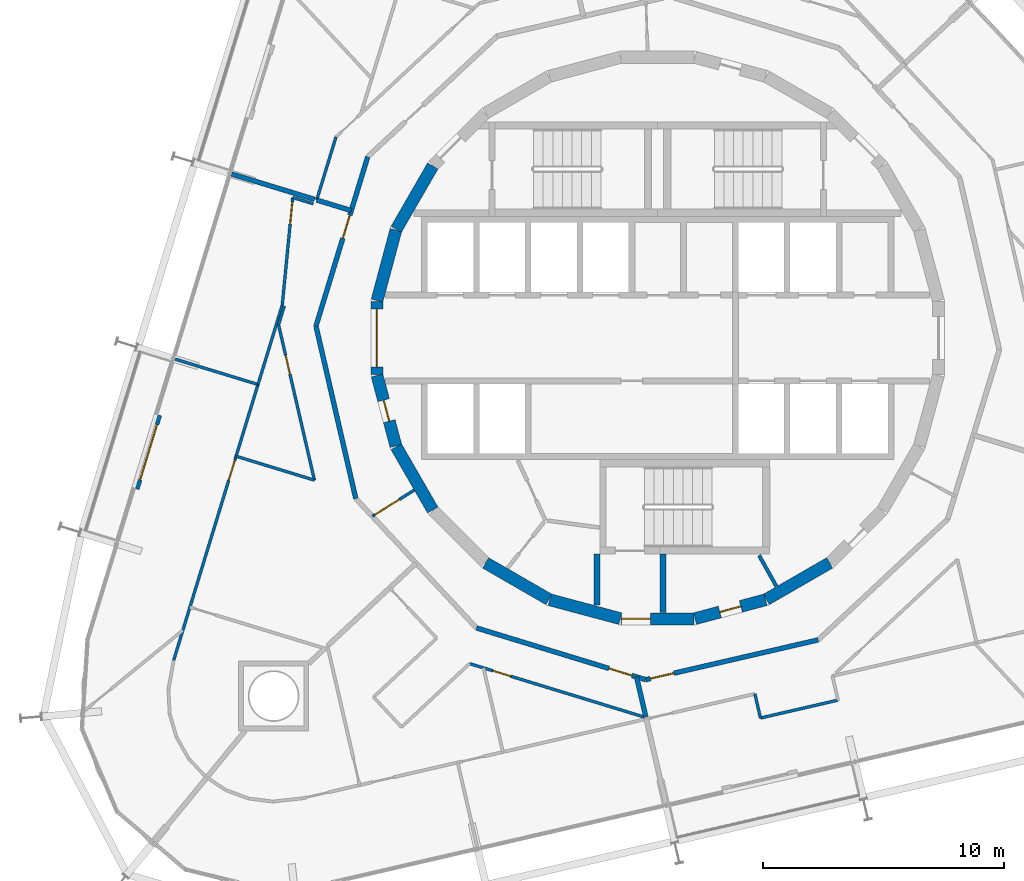
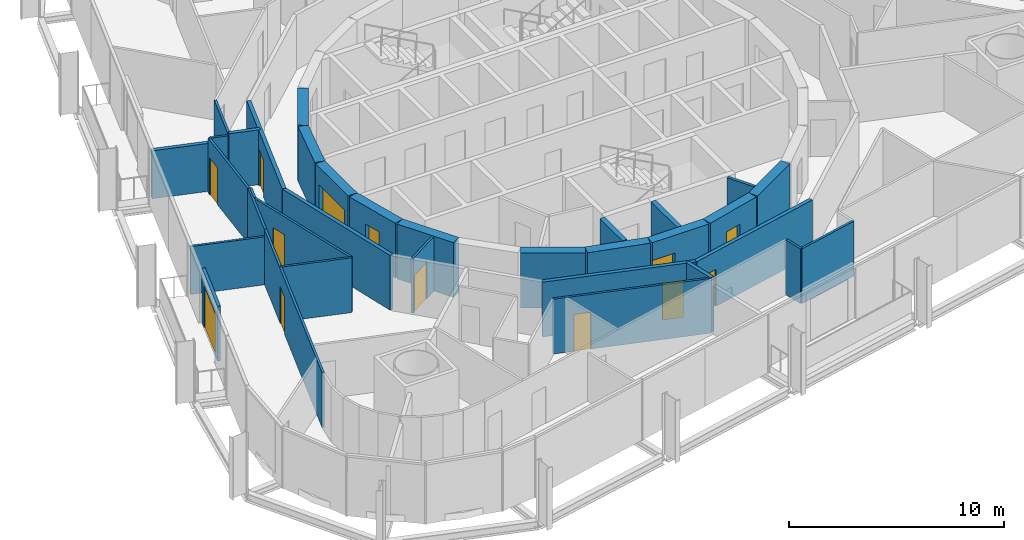
# One storey, part 12 of 18: 34 walls, 13 doors, 13 openings.
"""IFC4 building model written with IfcOpenShell, lengths in metres."""

from ifc_helpers import new_model, si_unit, direction, frame, frame_2d, origin, place, context, subcontext, project, spatial, rectangle, extrude, material, layer, layer_set, type_object, element, fill, save


model = new_model("IFC4")

# Units and contexts
model_context = context("Model", 3, precision=1e-05, world=origin(), true_north=direction((0.0, 1.0)))
body_context = subcontext(model_context, "Body", "Model", "MODEL_VIEW")
ifc_project = project(units=[si_unit("LENGTHUNIT", "METRE"), si_unit("AREAUNIT", "SQUARE_METRE"), si_unit("VOLUMEUNIT", "CUBIC_METRE"), si_unit("PLANEANGLEUNIT", "RADIAN"), si_unit("MASSUNIT", "GRAM", prefix="KILO")], contexts=[model_context])

# Site, building, storey
site_placement = place(None, origin())
site = spatial("IfcSite", under=ifc_project, at=site_placement, CompositionType="ELEMENT")
building_placement = place(site_placement, origin())
building = spatial("IfcBuilding", under=site, at=building_placement, Name="Spindle Arch Residences", CompositionType="ELEMENT")
storey_placement = place(building_placement, frame((0.0, 0.0, 137.89990234375)))
storey = spatial("IfcBuildingStorey", under=building, at=storey_placement, Name="L34", CompositionType="ELEMENT", Elevation=137.89990234375)

# Wall, opening, door
ifc_material_1 = material(Name="Concrete C50/60", Category="concrete")
ifc_layer_1 = layer(ifc_material_1, 0.5)
ifc_layer_set_1 = layer_set([ifc_layer_1], Name="Core outline wall 500")
wall_type_1 = type_object("IfcWallType", Name="Core outline wall 500", PredefinedType="SHEAR", material=ifc_layer_set_1)
wall_1_placement = place(storey_placement, frame((1.5498046875, -11.642822265625, 0.0), z_axis=(0.0, 0.0, 1.0), x_axis=(0.965948410781, 0.258734743916, 0.0)))
wall_1 = element("IfcWall", 1, at=wall_1_placement, inside=storey, type_object=wall_type_1, Name="Core outline wall 1", PredefinedType="SHEAR", context=body_context, shape_type="SweptSolid", body=[
    extrude(rectangle(XDim=3.03271484375, YDim=0.5, at=frame_2d((1.516357421875, 0.0))), origin(), (0.0, 0.0, 1.0), 3.1201171875),
])
opening_1_placement = place(wall_1_placement, frame((1.06640625, 0.0, 0.0)))
opening_1 = element("IfcOpeningElement", 2, at=opening_1_placement, cuts=wall_1, Name="Opening R3C1-WD08", PredefinedType="OPENING", context=body_context, shape_type="SweptSolid", body=[
    extrude(rectangle(XDim=0.89990234375, YDim=2.10009765625, at=frame_2d((0.449951171875, 1.050048828125))), frame((0.0, 0.260009765625, 0.0), z_axis=(0.0, -1.0, 0.0), x_axis=(1.0, 0.0, 0.0)), (0.0, 0.0, 1.0), 0.52001953125),
])
ifc_material_2 = material(Name="Steel, fire-resisting door", Category="steel")
door_type_1 = type_object("IfcDoorType", Name="Service room door 900x2100", OperationType="SINGLE_SWING_LEFT", PredefinedType="DOOR", material=ifc_material_2)
door_1_placement = place(opening_1_placement, origin())
door_1 = element("IfcDoor", 3, at=door_1_placement, inside=storey, type_object=door_type_1, Name="Service room door R3C1-WD08", OperationType="SINGLE_SWING_LEFT", OverallHeight=2.10009765625, OverallWidth=0.89990234375, PredefinedType="DOOR", context=body_context, shape_type="SweptSolid", body=[
    extrude(rectangle(XDim=0.89990234375, YDim=2.10009765625, at=frame_2d((0.449951171875, 1.050048828125))), frame((0.0, 0.02490234375, 0.0), z_axis=(0.0, -1.0, 0.0), x_axis=(1.0, 0.0, 0.0)), (0.0, 0.0, 1.0), 0.050048828125),
])
fill(opening_1, door_1)

# Walls
for number, where, z_axis, x_axis, name in (
    (4, (4.510498046875, -10.84521484375, 0.0), (0.0, 0.0, 1.0), (0.865975092491, 0.500087131594, 0.0), "Core outline wall 2"),
    (5, (-9.32861328125, 7.13671875, 0.0), (0.0, 0.0, 1.0), (-0.500087131594, -0.865975092491, 0.0), "Core outline wall 16"),
    (6, (-10.858154296875, 4.479248046875, 0.0), (0.0, 0.0, 1.0), (-0.258734743916, -0.965948410781, 0.0), "Core outline wall 17"),
):
    element("IfcWall", number, at=place(storey_placement, frame(where, z_axis=z_axis, x_axis=x_axis)), inside=storey, type_object=wall_type_1, Name=name, PredefinedType="SHEAR", context=body_context, shape_type="SweptSolid", body=[
        extrude(rectangle(XDim=3.03271484375, YDim=0.5, at=frame_2d((1.516357421875, 0.0))), origin(), (0.0, 0.0, 1.0), 3.1201171875),
    ])

# Wall, opening, door
wall_2_placement = place(storey_placement, frame((-11.647216796875, 1.516357421875, 0.0), z_axis=(0.0, 0.0, 1.0), x_axis=(0.0, -1.0, 0.0)))
wall_2 = element("IfcWall", 7, at=wall_2_placement, inside=storey, type_object=wall_type_1, Name="Core outline wall 18", PredefinedType="SHEAR", context=body_context, shape_type="SweptSolid", body=[
    extrude(rectangle(XDim=3.03271484375, YDim=0.5, at=frame_2d((1.516357421875, 0.0))), origin(), (0.0, 0.0, 1.0), 3.1201171875),
])
opening_2_placement = place(wall_2_placement, frame((0.31640625, 0.0, 0.0)))
opening_2 = element("IfcOpeningElement", 8, at=opening_2_placement, cuts=wall_2, Name="Opening R3C1-LE01", PredefinedType="OPENING", context=body_context, shape_type="SweptSolid", body=[
    extrude(rectangle(XDim=2.39990234375, YDim=2.10009765625, at=frame_2d((1.199951171875, 1.050048828125))), frame((0.0, 0.260009765625, 0.0), z_axis=(0.0, -1.0, 0.0), x_axis=(1.0, 0.0, 0.0)), (0.0, 0.0, 1.0), 0.52001953125),
])
ifc_material_3 = material(Name="Steel, fire-resisting door", Category="steel")
door_type_2 = type_object("IfcDoorType", Name="Lift lobby entrance door 2400x2100", OperationType="DOUBLE_DOOR_SINGLE_SWING", PredefinedType="DOOR", material=ifc_material_3)
door_2_placement = place(opening_2_placement, origin())
door_2 = element("IfcDoor", 9, at=door_2_placement, inside=storey, type_object=door_type_2, Name="Lift lobby entrance door R3C1-LE01", OperationType="DOUBLE_DOOR_SINGLE_SWING", OverallHeight=2.10009765625, OverallWidth=2.39990234375, PredefinedType="DOOR", context=body_context, shape_type="SweptSolid", body=[
    extrude(rectangle(XDim=2.39990234375, YDim=2.10009765625, at=frame_2d((1.199951171875, 1.050048828125))), frame((0.0, 0.02490234375, 0.0), z_axis=(0.0, -1.0, 0.0), x_axis=(1.0, 0.0, 0.0)), (0.0, 0.0, 1.0), 0.050048828125),
])
fill(opening_2, door_2)

wall_3_placement = place(storey_placement, frame((-11.642822265625, -1.5498046875, 0.0), z_axis=(0.0, 0.0, 1.0), x_axis=(0.258734743916, -0.965948410781, 0.0)))
wall_3 = element("IfcWall", 10, at=wall_3_placement, inside=storey, type_object=wall_type_1, Name="Core outline wall 19", PredefinedType="SHEAR", context=body_context, shape_type="SweptSolid", body=[
    extrude(rectangle(XDim=3.03271484375, YDim=0.5, at=frame_2d((1.516357421875, 0.0))), origin(), (0.0, 0.0, 1.0), 3.1201171875),
])
opening_3_placement = place(wall_3_placement, frame((1.06640625, 0.0, 0.0)))
opening_3 = element("IfcOpeningElement", 11, at=opening_3_placement, cuts=wall_3, Name="Opening R3C1-WD09", PredefinedType="OPENING", context=body_context, shape_type="SweptSolid", body=[
    extrude(rectangle(XDim=0.89990234375, YDim=2.10009765625, at=frame_2d((0.449951171875, 1.050048828125))), frame((0.0, 0.260009765625, 0.0), z_axis=(0.0, -1.0, 0.0), x_axis=(1.0, 0.0, 0.0)), (0.0, 0.0, 1.0), 0.52001953125),
])
door_3_placement = place(opening_3_placement, origin())
door_3 = element("IfcDoor", 12, at=door_3_placement, inside=storey, type_object=door_type_1, Name="Service room door R3C1-WD09", OperationType="SINGLE_SWING_RIGHT", OverallHeight=2.10009765625, OverallWidth=0.89990234375, PredefinedType="DOOR", context=body_context, shape_type="SweptSolid", body=[
    extrude(rectangle(XDim=0.89990234375, YDim=2.10009765625, at=frame_2d((0.449951171875, 1.050048828125))), frame((0.0, 0.02490234375, 0.0), z_axis=(0.0, -1.0, 0.0), x_axis=(1.0, 0.0, 0.0)), (0.0, 0.0, 1.0), 0.050048828125),
])
fill(opening_3, door_3)

# Walls
for number, where, z_axis, x_axis, name in (
    (13, (-10.84521484375, -4.510498046875, 0.0), (0.0, 0.0, 1.0), (0.500087131594, -0.865975092491, 0.0), "Core outline wall 20"),
    (14, (-7.13671875, -9.32861328125, 0.0), (0.0, 0.0, 1.0), (0.865975092491, -0.500087131594, 0.0), "Core outline wall 22"),
    (15, (-4.479248046875, -10.858154296875, 0.0), (0.0, 0.0, 1.0), (0.965948410781, -0.258734743916, 0.0), "Core outline wall 23"),
):
    element("IfcWall", number, at=place(storey_placement, frame(where, z_axis=z_axis, x_axis=x_axis)), inside=storey, type_object=wall_type_1, Name=name, PredefinedType="SHEAR", context=body_context, shape_type="SweptSolid", body=[
        extrude(rectangle(XDim=3.03271484375, YDim=0.5, at=frame_2d((1.516357421875, 0.0))), origin(), (0.0, 0.0, 1.0), 3.1201171875),
    ])

# Wall, opening, door
wall_4_placement = place(storey_placement, frame((-1.516357421875, -11.647216796875, 0.0), z_axis=(0.0, 0.0, 1.0), x_axis=(1.0, 0.0, 0.0)))
wall_4 = element("IfcWall", 16, at=wall_4_placement, inside=storey, type_object=wall_type_1, Name="Core outline wall 24", PredefinedType="SHEAR", context=body_context, shape_type="SweptSolid", body=[
    extrude(rectangle(XDim=3.03271484375, YDim=0.5, at=frame_2d((1.516357421875, 0.0))), origin(), (0.0, 0.0, 1.0), 3.1201171875),
])
opening_4_placement = place(wall_4_placement, frame((0.016357421875, 0.0, 0.0)))
opening_4 = element("IfcOpeningElement", 17, at=opening_4_placement, cuts=wall_4, Name="Opening R3C1-AD03", PredefinedType="OPENING", context=body_context, shape_type="SweptSolid", body=[
    extrude(rectangle(XDim=1.199951171875, YDim=2.10009765625, at=frame_2d((0.60009765625, 1.050048828125))), frame((0.0, 0.260009765625, 0.0), z_axis=(0.0, -1.0, 0.0), x_axis=(1.0, 0.0, 0.0)), (0.0, 0.0, 1.0), 0.52001953125),
])
ifc_material_4 = material(Name="Steel, fire-resisting door", Category="steel")
door_type_3 = type_object("IfcDoorType", Name="Stair airlock door 1200x2100", OperationType="SINGLE_SWING_LEFT", PredefinedType="DOOR", material=ifc_material_4)
door_4_placement = place(opening_4_placement, origin())
door_4 = element("IfcDoor", 18, at=door_4_placement, inside=storey, type_object=door_type_3, Name="Stair airlock door R3C1-AD03", OperationType="SINGLE_SWING_RIGHT", OverallHeight=2.10009765625, OverallWidth=1.199951171875, PredefinedType="DOOR", context=body_context, shape_type="SweptSolid", body=[
    extrude(rectangle(XDim=1.199951171875, YDim=2.10009765625, at=frame_2d((0.60009765625, 1.050048828125))), frame((0.0, 0.02490234375, 0.0), z_axis=(0.0, -1.0, 0.0), x_axis=(1.0, 0.0, 0.0)), (0.0, 0.0, 1.0), 0.050048828125),
])
fill(opening_4, door_4)

ifc_material_5 = material(Name="Plasterboard on steel studs", Category="steel")
ifc_layer_2 = layer(ifc_material_5, 0.1201171875)
ifc_layer_set_2 = layer_set([ifc_layer_2], Name="Corridor division wall 120")
wall_type_2 = type_object("IfcWallType", Name="Corridor division wall 120", PredefinedType="PARTITIONING", material=ifc_layer_set_2)
wall_5_placement = place(storey_placement, frame((-11.835693359375, -7.395751953125, 0.0), z_axis=(0.0, 0.0, 1.0), x_axis=(0.848071831599, 0.529881277692, 0.0)))
wall_5 = element("IfcWall", 19, at=wall_5_placement, inside=storey, type_object=wall_type_2, Name="Corridor division wall R3C1-W003", PredefinedType="PARTITIONING", context=body_context, shape_type="SweptSolid", body=[
    extrude(rectangle(XDim=2.0517578125, YDim=0.1201171875, at=frame_2d((1.02587890625, 0.0))), origin(), (0.0, 0.0, 1.0), 3.1201171875),
])
opening_5_placement = place(wall_5_placement, frame((0.125, 0.0, 0.0)))
opening_5 = element("IfcOpeningElement", 20, at=opening_5_placement, cuts=wall_5, Name="Opening R3C1-CD03", PredefinedType="OPENING", context=body_context, shape_type="SweptSolid", body=[
    extrude(rectangle(XDim=1.199951171875, YDim=2.10009765625, at=frame_2d((0.60009765625, 1.050048828125))), frame((0.0, 0.070068359375, 0.0), z_axis=(0.0, -1.0, 0.0), x_axis=(1.0, 0.0, 0.0)), (0.0, 0.0, 1.0), 0.14013671875),
])
ifc_material_6 = material(Name="Steel, fire-resisting door", Category="steel")
door_type_4 = type_object("IfcDoorType", Name="Corridor division door 1200x2100", OperationType="NOTDEFINED", PredefinedType="DOOR", material=ifc_material_6)
door_5_placement = place(opening_5_placement, origin())
door_5 = element("IfcDoor", 21, at=door_5_placement, inside=storey, type_object=door_type_4, Name="Corridor division door R3C1-CD03", OperationType="DOUBLE_DOOR_SINGLE_SWING", OverallHeight=2.10009765625, OverallWidth=1.199951171875, PredefinedType="DOOR", context=body_context, shape_type="SweptSolid", body=[
    extrude(rectangle(XDim=1.199951171875, YDim=2.10009765625, at=frame_2d((0.60009765625, 1.050048828125))), frame((0.0, 0.02490234375, 0.0), z_axis=(0.0, -1.0, 0.0), x_axis=(1.0, 0.0, 0.0)), (0.0, 0.0, 1.0), 0.050048828125),
])
fill(opening_5, door_5)

ifc_material_7 = material(Name="Calcium silicate block, plastered")
ifc_layer_3 = layer(ifc_material_7, 0.199951171875)
ifc_layer_set_3 = layer_set([ifc_layer_3], Name="Corridor wall 200")
wall_type_3 = type_object("IfcWallType", Name="Corridor wall 200", PredefinedType="STANDARD", material=ifc_layer_set_3)
wall_6_placement = place(storey_placement, frame((-12.028076171875, 7.51611328125, 0.0), z_axis=(0.0, 0.0, 1.0), x_axis=(-0.292365533182, -0.956306642771, 0.0)))
wall_6 = element("IfcWall", 22, at=wall_6_placement, inside=storey, type_object=wall_type_3, Name="Corridor wall R3C1-W010", PredefinedType="STANDARD", context=body_context, shape_type="SweptSolid", body=[
    extrude(rectangle(XDim=7.341796875, YDim=0.199951171875, at=frame_2d((3.6708984375, 0.0))), origin(), (0.0, 0.0, 1.0), 3.1201171875),
])
opening_6_placement = place(wall_6_placement, frame((2.53271484375, 0.0, 0.0)))
opening_6 = element("IfcOpeningElement", 23, at=opening_6_placement, cuts=wall_6, Name="Opening R3C1-FD04", PredefinedType="OPENING", context=body_context, shape_type="SweptSolid", body=[
    extrude(rectangle(XDim=1.0, YDim=2.10009765625, at=frame_2d((0.5, 1.050048828125))), frame((0.0, 0.10986328125, 0.0), z_axis=(0.0, -1.0, 0.0), x_axis=(1.0, 0.0, 0.0)), (0.0, 0.0, 1.0), 0.219970703125),
])
ifc_material_8 = material(Name="Timber, fire-resisting door set", Category="wood")
door_type_5 = type_object("IfcDoorType", Name="Flat entrance door 1000x2100", OperationType="NOTDEFINED", PredefinedType="DOOR", material=ifc_material_8)
door_6_placement = place(opening_6_placement, origin())
door_6 = element("IfcDoor", 24, at=door_6_placement, inside=storey, type_object=door_type_5, Name="Flat entrance door R3C1-FD04", OperationType="SINGLE_SWING_LEFT", OverallHeight=2.10009765625, OverallWidth=1.0, PredefinedType="DOOR", context=body_context, shape_type="SweptSolid", body=[
    extrude(rectangle(XDim=1.0, YDim=2.10009765625, at=frame_2d((0.5, 1.050048828125))), frame((0.0, 0.02490234375, 0.0), z_axis=(0.0, -1.0, 0.0), x_axis=(1.0, 0.0, 0.0)), (0.0, 0.0, 1.0), 0.050048828125),
])
fill(opening_6, door_6)

# Wall
wall_7_placement = place(storey_placement, frame((-14.174560546875, 0.4951171875, 0.0), z_axis=(0.0, 0.0, 1.0), x_axis=(0.224922649383, -0.974376622151, 0.0)))
element("IfcWall", 25, at=wall_7_placement, inside=storey, type_object=wall_type_3, Name="Corridor wall R3C1-W011", PredefinedType="STANDARD", context=body_context, shape_type="SweptSolid", body=[
    extrude(rectangle(XDim=7.342041015625, YDim=0.199951171875, at=frame_2d((3.6708984375, 0.0))), origin(), (0.0, 0.0, 1.0), 3.1201171875),
])

# Wall, opening, door
wall_8_placement = place(storey_placement, frame((-7.51611328125, -12.028076171875, 0.0), z_axis=(0.0, 0.0, 1.0), x_axis=(0.956306642771, -0.292365533182, 0.0)))
wall_8 = element("IfcWall", 26, at=wall_8_placement, inside=storey, type_object=wall_type_3, Name="Corridor wall R3C1-W013", PredefinedType="STANDARD", context=body_context, shape_type="SweptSolid", body=[
    extrude(rectangle(XDim=7.341796875, YDim=0.199951171875, at=frame_2d((3.6708984375, 0.0))), origin(), (0.0, 0.0, 1.0), 3.1201171875),
])
opening_7_placement = place(wall_8_placement, frame((5.7451171875, 0.0, 0.0)))
opening_7 = element("IfcOpeningElement", 27, at=opening_7_placement, cuts=wall_8, Name="Opening R3C1-FD05", PredefinedType="OPENING", context=body_context, shape_type="SweptSolid", body=[
    extrude(rectangle(XDim=1.0, YDim=2.10009765625, at=frame_2d((0.5, 1.050048828125))), frame((0.0, 0.10986328125, 0.0), z_axis=(0.0, -1.0, 0.0), x_axis=(1.0, 0.0, 0.0)), (0.0, 0.0, 1.0), 0.219970703125),
])
door_7_placement = place(opening_7_placement, origin())
door_7 = element("IfcDoor", 28, at=door_7_placement, inside=storey, type_object=door_type_5, Name="Flat entrance door R3C1-FD05", OperationType="SINGLE_SWING_LEFT", OverallHeight=2.10009765625, OverallWidth=1.0, PredefinedType="DOOR", context=body_context, shape_type="SweptSolid", body=[
    extrude(rectangle(XDim=1.0, YDim=2.10009765625, at=frame_2d((0.5, 1.050048828125))), frame((0.0, 0.02490234375, 0.0), z_axis=(0.0, -1.0, 0.0), x_axis=(1.0, 0.0, 0.0)), (0.0, 0.0, 1.0), 0.050048828125),
])
fill(opening_7, door_7)

wall_9_placement = place(storey_placement, frame((-0.4951171875, -14.174560546875, 0.0), z_axis=(0.0, 0.0, 1.0), x_axis=(0.974376622151, 0.224922649383, 0.0)))
wall_9 = element("IfcWall", 29, at=wall_9_placement, inside=storey, type_object=wall_type_3, Name="Corridor wall R3C1-W014", PredefinedType="STANDARD", context=body_context, shape_type="SweptSolid", body=[
    extrude(rectangle(XDim=7.342041015625, YDim=0.199951171875, at=frame_2d((3.6708984375, 0.0))), origin(), (0.0, 0.0, 1.0), 3.1201171875),
])
opening_8_placement = place(wall_9_placement, frame((0.199951171875, 0.0, 0.0)))
opening_8 = element("IfcOpeningElement", 30, at=opening_8_placement, cuts=wall_9, Name="Opening R3C1-FD06", PredefinedType="OPENING", context=body_context, shape_type="SweptSolid", body=[
    extrude(rectangle(XDim=1.0, YDim=2.10009765625, at=frame_2d((0.5, 1.050048828125))), frame((0.0, 0.10986328125, 0.0), z_axis=(0.0, -1.0, 0.0), x_axis=(1.0, 0.0, 0.0)), (0.0, 0.0, 1.0), 0.219970703125),
])
door_8_placement = place(opening_8_placement, origin())
door_8 = element("IfcDoor", 31, at=door_8_placement, inside=storey, type_object=door_type_5, Name="Flat entrance door R3C1-FD06", OperationType="SINGLE_SWING_LEFT", OverallHeight=2.10009765625, OverallWidth=1.0, PredefinedType="DOOR", context=body_context, shape_type="SweptSolid", body=[
    extrude(rectangle(XDim=1.0, YDim=2.10009765625, at=frame_2d((0.5, 1.050048828125))), frame((0.0, 0.02490234375, 0.0), z_axis=(0.0, -1.0, 0.0), x_axis=(1.0, 0.0, 0.0)), (0.0, 0.0, 1.0), 0.050048828125),
])
fill(opening_8, door_8)

# Walls
ifc_material_9 = material(Name="Plasterboard on steel studs", Category="steel")
ifc_layer_4 = layer(ifc_material_9, 0.1201171875)
ifc_layer_set_4 = layer_set([ifc_layer_4], Name="Flat partition 120")
wall_type_4 = type_object("IfcWallType", Name="Flat partition 120", PredefinedType="PARTITIONING", material=ifc_layer_set_4)
wall_10_placement = place(storey_placement, frame((-13.34521484375, 8.3388671875, 0.0), z_axis=(0.0, 0.0, 1.0), x_axis=(-0.292316072367, -0.956321762712, 0.0)))
element("IfcWall", 32, at=wall_10_placement, inside=storey, type_object=wall_type_4, Name="Flat partition R3C1-W063", PredefinedType="PARTITIONING", context=body_context, shape_type="SweptSolid", body=[
    extrude(rectangle(XDim=2.734375, YDim=0.1201171875, at=frame_2d((1.3671875, 0.0))), origin(), (0.0, 0.0, 1.0), 3.1201171875),
])
wall_11_placement = place(storey_placement, frame((-14.287353515625, 5.567626953125, 0.0), z_axis=(0.0, 0.0, 1.0), x_axis=(-0.956287662261, 0.292427609859, 0.0)))
element("IfcWall", 33, at=wall_11_placement, inside=storey, type_object=wall_type_4, Name="Flat partition R3C1-W074", PredefinedType="PARTITIONING", context=body_context, shape_type="SweptSolid", body=[
    extrude(rectangle(XDim=0.889892578125, YDim=0.1201171875, at=frame_2d((0.44482421875, 0.0))), origin(), (0.0, 0.0, 1.0), 3.1201171875),
])

# Wall, opening, door
wall_12_placement = place(storey_placement, frame((-15.138427734375, 5.827880859375, 0.0), z_axis=(0.0, 0.0, 1.0), x_axis=(-0.096967255409, -0.995287572201, 0.0)))
wall_12 = element("IfcWall", 34, at=wall_12_placement, inside=storey, type_object=wall_type_4, Name="Flat partition R3C1-W075", PredefinedType="PARTITIONING", context=body_context, shape_type="SweptSolid", body=[
    extrude(rectangle(XDim=4.4892578125, YDim=0.1201171875, at=frame_2d((2.24462890625, 0.0))), origin(), (0.0, 0.0, 1.0), 3.1201171875),
])
opening_9_placement = place(wall_12_placement, frame((0.199951171875, 0.0, 0.0)))
opening_9 = element("IfcOpeningElement", 35, at=opening_9_placement, cuts=wall_12, Name="Opening R3C1-ID18", PredefinedType="OPENING", context=body_context, shape_type="SweptSolid", body=[
    extrude(rectangle(XDim=0.89990234375, YDim=2.10009765625, at=frame_2d((0.449951171875, 1.050048828125))), frame((0.0, 0.070068359375, 0.0), z_axis=(0.0, -1.0, 0.0), x_axis=(1.0, 0.0, 0.0)), (0.0, 0.0, 1.0), 0.14013671875),
])
ifc_material_10 = material(Name="Timber door set", Category="wood")
door_type_6 = type_object("IfcDoorType", Name="Room door 900x2100", OperationType="NOTDEFINED", PredefinedType="DOOR", material=ifc_material_10)
door_9_placement = place(opening_9_placement, origin())
door_9 = element("IfcDoor", 36, at=door_9_placement, inside=storey, type_object=door_type_6, Name="Room door R3C1-ID18", OperationType="SINGLE_SWING_LEFT", OverallHeight=2.10009765625, OverallWidth=0.89990234375, PredefinedType="DOOR", context=body_context, shape_type="SweptSolid", body=[
    extrude(rectangle(XDim=0.89990234375, YDim=2.10009765625, at=frame_2d((0.449951171875, 1.050048828125))), frame((0.0, 0.02490234375, 0.0), z_axis=(0.0, -1.0, 0.0), x_axis=(1.0, 0.0, 0.0)), (0.0, 0.0, 1.0), 0.050048828125),
])
fill(opening_9, door_9)

# Wall
wall_13_placement = place(storey_placement, frame((-15.48681640625, 1.33349609375, 0.0), z_axis=(0.0, 0.0, 1.0), x_axis=(-0.2923698127, -0.956305334411, 0.0)))
element("IfcWall", 37, at=wall_13_placement, inside=storey, type_object=wall_type_4, Name="Flat partition R3C1-W076", PredefinedType="PARTITIONING", context=body_context, shape_type="SweptSolid", body=[
    extrude(rectangle(XDim=0.820068359375, YDim=0.1201171875, at=frame_2d((0.41015625, 0.0))), origin(), (0.0, 0.0, 1.0), 3.1201171875),
])

# Wall, opening, door
wall_14_placement = place(storey_placement, frame((-15.7265625, 0.54931640625, 0.0), z_axis=(0.0, 0.0, 1.0), x_axis=(0.224948441297, -0.974370668051, 0.0)))
wall_14 = element("IfcWall", 38, at=wall_14_placement, inside=storey, type_object=wall_type_4, Name="Flat partition R3C1-W077", PredefinedType="PARTITIONING", context=body_context, shape_type="SweptSolid", body=[
    extrude(rectangle(XDim=6.6162109375, YDim=0.1201171875, at=frame_2d((3.30810546875, 0.0))), origin(), (0.0, 0.0, 1.0), 3.1201171875),
])
opening_10_placement = place(wall_14_placement, frame((1.300048828125, 0.0, 0.0)))
opening_10 = element("IfcOpeningElement", 39, at=opening_10_placement, cuts=wall_14, Name="Opening R3C1-BD04", PredefinedType="OPENING", context=body_context, shape_type="SweptSolid", body=[
    extrude(rectangle(XDim=0.800048828125, YDim=2.10009765625, at=frame_2d((0.39990234375, 1.050048828125))), frame((0.0, 0.070068359375, 0.0), z_axis=(0.0, -1.0, 0.0), x_axis=(1.0, 0.0, 0.0)), (0.0, 0.0, 1.0), 0.14013671875),
])
ifc_material_11 = material(Name="Timber door set", Category="wood")
door_type_7 = type_object("IfcDoorType", Name="Bathroom door 800x2100", OperationType="NOTDEFINED", PredefinedType="DOOR", material=ifc_material_11)
door_10_placement = place(opening_10_placement, origin())
door_10 = element("IfcDoor", 40, at=door_10_placement, inside=storey, type_object=door_type_7, Name="Bathroom door R3C1-BD04", OperationType="SINGLE_SWING_RIGHT", OverallHeight=2.10009765625, OverallWidth=0.800048828125, PredefinedType="DOOR", context=body_context, shape_type="SweptSolid", body=[
    extrude(rectangle(XDim=0.800048828125, YDim=2.10009765625, at=frame_2d((0.39990234375, 1.050048828125))), frame((0.0, 0.02490234375, 0.0), z_axis=(0.0, -1.0, 0.0), x_axis=(1.0, 0.0, 0.0)), (0.0, 0.0, 1.0), 0.050048828125),
])
fill(opening_10, door_10)

# Wall
wall_15_placement = place(storey_placement, frame((-14.23828125, -5.897216796875, 0.0), z_axis=(0.0, 0.0, 1.0), x_axis=(-0.956314762513, 0.292338972768, 0.0)))
element("IfcWall", 41, at=wall_15_placement, inside=storey, type_object=wall_type_4, Name="Flat partition R3C1-W078", PredefinedType="PARTITIONING", context=body_context, shape_type="SweptSolid", body=[
    extrude(rectangle(XDim=3.39892578125, YDim=0.1201171875, at=frame_2d((1.699462890625, 0.0))), origin(), (0.0, 0.0, 1.0), 3.1201171875),
])

# Wall, opening, door
wall_16_placement = place(storey_placement, frame((-16.5791015625, -1.927978515625, 0.0), z_axis=(0.0, 0.0, 1.0), x_axis=(-0.29236733738, -0.956306091183, 0.0)))
wall_16 = element("IfcWall", 42, at=wall_16_placement, inside=storey, type_object=wall_type_4, Name="Flat partition R3C1-W079", PredefinedType="PARTITIONING", context=body_context, shape_type="SweptSolid", body=[
    extrude(rectangle(XDim=11.962890625, YDim=0.1201171875, at=frame_2d((5.9814453125, 0.0))), origin(), (0.0, 0.0, 1.0), 3.1201171875),
])
opening_11_placement = place(wall_16_placement, frame((3.271484375, 0.0, 0.0)))
opening_11 = element("IfcOpeningElement", 43, at=opening_11_placement, cuts=wall_16, Name="Opening R3C1-ID19", PredefinedType="OPENING", context=body_context, shape_type="SweptSolid", body=[
    extrude(rectangle(XDim=0.89990234375, YDim=2.10009765625, at=frame_2d((0.449951171875, 1.050048828125))), frame((0.0, 0.070068359375, 0.0), z_axis=(0.0, -1.0, 0.0), x_axis=(1.0, 0.0, 0.0)), (0.0, 0.0, 1.0), 0.14013671875),
])
door_11_placement = place(opening_11_placement, origin())
door_11 = element("IfcDoor", 44, at=door_11_placement, inside=storey, type_object=door_type_6, Name="Room door R3C1-ID19", OperationType="SINGLE_SWING_RIGHT", OverallHeight=2.10009765625, OverallWidth=0.89990234375, PredefinedType="DOOR", context=body_context, shape_type="SweptSolid", body=[
    extrude(rectangle(XDim=0.89990234375, YDim=2.10009765625, at=frame_2d((0.449951171875, 1.050048828125))), frame((0.0, 0.02490234375, 0.0), z_axis=(0.0, -1.0, 0.0), x_axis=(1.0, 0.0, 0.0)), (0.0, 0.0, 1.0), 0.050048828125),
])
fill(opening_11, door_11)

# Wall
wall_17_placement = place(storey_placement, frame((-16.5791015625, -1.927978515625, 0.0), z_axis=(0.0, 0.0, 1.0), x_axis=(0.292418780126, 0.956290362301, 0.0)))
element("IfcWall", 45, at=wall_17_placement, inside=storey, type_object=wall_type_4, Name="Flat partition R3C1-W081", PredefinedType="PARTITIONING", context=body_context, shape_type="SweptSolid", body=[
    extrude(rectangle(XDim=3.438232421875, YDim=0.1201171875, at=frame_2d((1.71923828125, 0.0))), origin(), (0.0, 0.0, 1.0), 3.1201171875),
])

# Wall, opening, door
wall_18_placement = place(storey_placement, frame((-7.8037109375, -13.5087890625, 0.0), z_axis=(0.0, 0.0, 1.0), x_axis=(0.956309088343, -0.292357533772, 0.0)))
wall_18 = element("IfcWall", 46, at=wall_18_placement, inside=storey, type_object=wall_type_4, Name="Flat partition R3C1-W093", PredefinedType="PARTITIONING", context=body_context, shape_type="SweptSolid", body=[
    extrude(rectangle(XDim=7.5859375, YDim=0.1201171875, at=frame_2d((3.79296875, 0.0))), origin(), (0.0, 0.0, 1.0), 3.1201171875),
])
opening_12_placement = place(wall_18_placement, frame((1.005615234375, 0.0, 0.0)))
opening_12 = element("IfcOpeningElement", 47, at=opening_12_placement, cuts=wall_18, Name="Opening R3C1-BD05", PredefinedType="OPENING", context=body_context, shape_type="SweptSolid", body=[
    extrude(rectangle(XDim=0.800048828125, YDim=2.10009765625, at=frame_2d((0.39990234375, 1.050048828125))), frame((0.0, 0.070068359375, 0.0), z_axis=(0.0, -1.0, 0.0), x_axis=(1.0, 0.0, 0.0)), (0.0, 0.0, 1.0), 0.14013671875),
])
door_12_placement = place(opening_12_placement, origin())
door_12 = element("IfcDoor", 48, at=door_12_placement, inside=storey, type_object=door_type_7, Name="Bathroom door R3C1-BD05", OperationType="SINGLE_SWING_LEFT", OverallHeight=2.10009765625, OverallWidth=0.800048828125, PredefinedType="DOOR", context=body_context, shape_type="SweptSolid", body=[
    extrude(rectangle(XDim=0.800048828125, YDim=2.10009765625, at=frame_2d((0.39990234375, 1.050048828125))), frame((0.0, 0.02490234375, 0.0), z_axis=(0.0, -1.0, 0.0), x_axis=(1.0, 0.0, 0.0)), (0.0, 0.0, 1.0), 0.050048828125),
])
fill(opening_12, door_12)

# Walls
wall_19_placement = place(storey_placement, frame((4.03369140625, -14.76171875, 0.0), z_axis=(0.0, 0.0, 1.0), x_axis=(0.224859506699, -0.974391195695, 0.0)))
element("IfcWall", 49, at=wall_19_placement, inside=storey, type_object=wall_type_4, Name="Flat partition R3C1-W102", PredefinedType="PARTITIONING", context=body_context, shape_type="SweptSolid", body=[
    extrude(rectangle(XDim=1.029296875, YDim=0.1201171875, at=frame_2d((0.5146484375, 0.0))), origin(), (0.0, 0.0, 1.0), 3.1201171875),
])
wall_20_placement = place(storey_placement, frame((4.26513671875, -15.7646484375, 0.0), z_axis=(0.0, 0.0, 1.0), x_axis=(0.974382467056, 0.22489732745, 0.0)))
element("IfcWall", 50, at=wall_20_placement, inside=storey, type_object=wall_type_4, Name="Flat partition R3C1-W103", PredefinedType="PARTITIONING", context=body_context, shape_type="SweptSolid", body=[
    extrude(rectangle(XDim=3.300048828125, YDim=0.1201171875, at=frame_2d((1.64990234375, 0.0))), origin(), (0.0, 0.0, 1.0), 3.1201171875),
])
ifc_material_12 = material(Name="Plasterboard on steel studs", Category="steel")
ifc_layer_5 = layer(ifc_material_12, 0.1201171875)
ifc_layer_set_5 = layer_set([ifc_layer_5], Name="Flat partition 120 under beam 2730")
wall_type_5 = type_object("IfcWallType", Name="Flat partition 120 under beam 2730", PredefinedType="PARTITIONING", material=ifc_layer_set_5)
wall_21_placement = place(storey_placement, frame((-20.021728515625, -0.87548828125, 0.0), z_axis=(0.0, 0.0, 1.0), x_axis=(0.956306810244, -0.292364985388, 0.0)))
element("IfcWall", 51, at=wall_21_placement, inside=storey, type_object=wall_type_5, Name="Flat partition R3C1-W082", PredefinedType="PARTITIONING", context=body_context, shape_type="SweptSolid", body=[
    extrude(rectangle(XDim=3.599853515625, YDim=0.1201171875, at=frame_2d((1.7998046875, 0.0))), origin(), (0.0, 0.0, 1.0), 2.72998046875),
])
ifc_material_13 = material(Name="Calcium silicate block, plastered")
ifc_layer_6 = layer(ifc_material_13, 0.199951171875)
ifc_layer_set_6 = layer_set([ifc_layer_6], Name="Flat party wall 200")
wall_type_6 = type_object("IfcWallType", Name="Flat party wall 200", PredefinedType="STANDARD", material=ifc_layer_set_6)
wall_22_placement = place(storey_placement, frame((-14.14453125, 5.723876953125, 0.0), z_axis=(0.0, 0.0, 1.0), x_axis=(0.956266872747, -0.292495586439, 0.0)))
element("IfcWall", 52, at=wall_22_placement, inside=storey, type_object=wall_type_6, Name="Flat party wall R3C1-W024", PredefinedType="STANDARD", context=body_context, shape_type="SweptSolid", body=[
    extrude(rectangle(XDim=1.5, YDim=0.199951171875, at=frame_2d((0.75, 0.0))), origin(), (0.0, 0.0, 1.0), 3.1201171875),
])
wall_23_placement = place(storey_placement, frame((-0.492431640625, -15.71337890625, 0.0), z_axis=(0.0, 0.0, 1.0), x_axis=(-0.224974992875, 0.97436453783, 0.0)))
element("IfcWall", 53, at=wall_23_placement, inside=storey, type_object=wall_type_6, Name="Flat party wall R3C1-W029", PredefinedType="STANDARD", context=body_context, shape_type="SweptSolid", body=[
    extrude(rectangle(XDim=1.6982421875, YDim=0.199951171875, at=frame_2d((0.84912109375, 0.0))), origin(), (0.0, 0.0, 1.0), 3.1201171875),
])
ifc_material_14 = material(Name="Calcium silicate block, plastered")
ifc_layer_7 = layer(ifc_material_14, 0.199951171875)
ifc_layer_set_7 = layer_set([ifc_layer_7], Name="Flat party wall 200 under beam 2730")
wall_type_7 = type_object("IfcWallType", Name="Flat party wall 200 under beam 2730", PredefinedType="STANDARD", material=ifc_layer_set_7)
wall_24_placement = place(storey_placement, frame((-17.67431640625, 6.802978515625, 0.0), z_axis=(0.0, 0.0, 1.0), x_axis=(0.956293645939, -0.292408041504, 0.0)))
element("IfcWall", 54, at=wall_24_placement, inside=storey, type_object=wall_type_7, Name="Flat party wall R3C1-W025", PredefinedType="STANDARD", context=body_context, shape_type="SweptSolid", body=[
    extrude(rectangle(XDim=3.600341796875, YDim=0.199951171875, at=frame_2d((1.80029296875, 0.0))), origin(), (0.0, 0.0, 1.0), 2.72998046875),
])

# Wall, opening, door
ifc_material_15 = material(Name="Non-combustible mineral wool insulated aluminium faced external wall (K0)", Category="aluminium")
ifc_layer_8 = layer(ifc_material_15, 0.159912109375)
ifc_layer_set_8 = layer_set([ifc_layer_8], Name="Insulated external wall panel 160")
wall_type_8 = type_object("IfcWallType", Name="Insulated external wall panel 160", PredefinedType="STANDARD", material=ifc_layer_set_8)
wall_25_placement = place(storey_placement, frame((-20.651123046875, -3.2080078125, 0.0), z_axis=(0.0, 0.0, 1.0), x_axis=(-0.292369725807, -0.956305360976, 0.0)))
wall_25 = element("IfcWall", 55, at=wall_25_placement, inside=storey, type_object=wall_type_8, Name="External wall L34 bay 16", PredefinedType="STANDARD", context=body_context, shape_type="SweptSolid", body=[
    extrude(rectangle(XDim=3.199951171875, YDim=0.159912109375, at=frame_2d((1.60009765625, 0.0))), origin(), (0.0, 0.0, 1.0), 3.1201171875),
])
opening_13_placement = place(wall_25_placement, frame((0.39990234375, 0.0, 0.0)))
opening_13 = element("IfcOpeningElement", 56, at=opening_13_placement, cuts=wall_25, Name="Opening BD16", PredefinedType="OPENING", context=body_context, shape_type="SweptSolid", body=[
    extrude(rectangle(XDim=2.39990234375, YDim=2.39990234375, at=frame_2d((1.199951171875, 1.199951171875))), frame((0.0, 0.08984375, 0.0), z_axis=(0.0, -1.0, 0.0), x_axis=(1.0, 0.0, 0.0)), (0.0, 0.0, 1.0), 0.179931640625),
])
ifc_material_16 = material(Name="Bronze aluminium frame, tinted double glazing", Category="aluminium")
door_type_8 = type_object("IfcDoorType", Name="Sliding glazed balcony door 2400x2400", OperationType="DOUBLE_DOOR_SLIDING", PredefinedType="DOOR", material=ifc_material_16)
door_13_placement = place(opening_13_placement, origin())
door_13 = element("IfcDoor", 57, at=door_13_placement, inside=storey, type_object=door_type_8, Name="Balcony door BD16", OperationType="DOUBLE_DOOR_SLIDING", OverallHeight=2.39990234375, OverallWidth=2.39990234375, PredefinedType="DOOR", context=body_context, shape_type="SweptSolid", body=[
    extrude(rectangle(XDim=2.39990234375, YDim=2.39990234375, at=frame_2d((1.199951171875, 1.199951171875))), frame((0.0, 0.02490234375, 0.0), z_axis=(0.0, -1.0, 0.0), x_axis=(1.0, 0.0, 0.0)), (0.0, 0.0, 1.0), 0.050048828125),
])
fill(opening_13, door_13)

# Walls
ifc_material_17 = material(Name="Concrete C25/30", Category="concrete")
ifc_layer_9 = layer(ifc_material_17, 0.14990234375)
ifc_layer_set_9 = layer_set([ifc_layer_9], Name="Service room partition 150")
wall_type_9 = type_object("IfcWallType", Name="Service room partition 150", PredefinedType="PARTITIONING", material=ifc_layer_set_9)
wall_26_placement = place(storey_placement, frame((4.922119140625, -10.295654296875, 0.0), z_axis=(0.0, 0.0, 1.0), x_axis=(-0.48860846254, 0.872503163509, 0.0)))
element("IfcWall", 58, at=wall_26_placement, inside=storey, type_object=wall_type_9, Name="Core service room partition", PredefinedType="PARTITIONING", context=body_context, shape_type="SweptSolid", body=[
    extrude(rectangle(XDim=1.45947265625, YDim=0.14990234375, at=frame_2d((0.729736328125, 0.0))), origin(), (0.0, 0.0, 1.0), 3.1201171875),
])
ifc_material_18 = material(Name="Concrete C40/50", Category="concrete")
ifc_layer_10 = layer(ifc_material_18, 0.25)
ifc_layer_set_10 = layer_set([ifc_layer_10], Name="Stair airlock wall 250")
wall_type_10 = type_object("IfcWallType", Name="Stair airlock wall 250", PredefinedType="SHEAR", material=ifc_layer_set_10)
wall_27_placement = place(storey_placement, frame((-2.52490234375, -8.969970703125, 0.0), z_axis=(0.0, 0.0, 1.0), x_axis=(0.0, -1.0, 0.0)))
element("IfcWall", 59, at=wall_27_placement, inside=storey, type_object=wall_type_10, Name="Stair ST-3 airlock wall W", PredefinedType="SHEAR", context=body_context, shape_type="SweptSolid", body=[
    extrude(rectangle(XDim=2.110107421875, YDim=0.25, at=frame_2d((1.05517578125, 0.0))), origin(), (0.0, 0.0, 1.0), 3.1201171875),
])
wall_28_placement = place(storey_placement, frame((0.22509765625, -8.969970703125, 0.0), z_axis=(0.0, 0.0, 1.0), x_axis=(0.0, -1.0, 0.0)))
element("IfcWall", 60, at=wall_28_placement, inside=storey, type_object=wall_type_10, Name="Stair ST-3 airlock wall E", PredefinedType="SHEAR", context=body_context, shape_type="SweptSolid", body=[
    extrude(rectangle(XDim=2.409912109375, YDim=0.25, at=frame_2d((1.205078125, 0.0))), origin(), (0.0, 0.0, 1.0), 3.1201171875),
])

save(model, "model.ifc")
